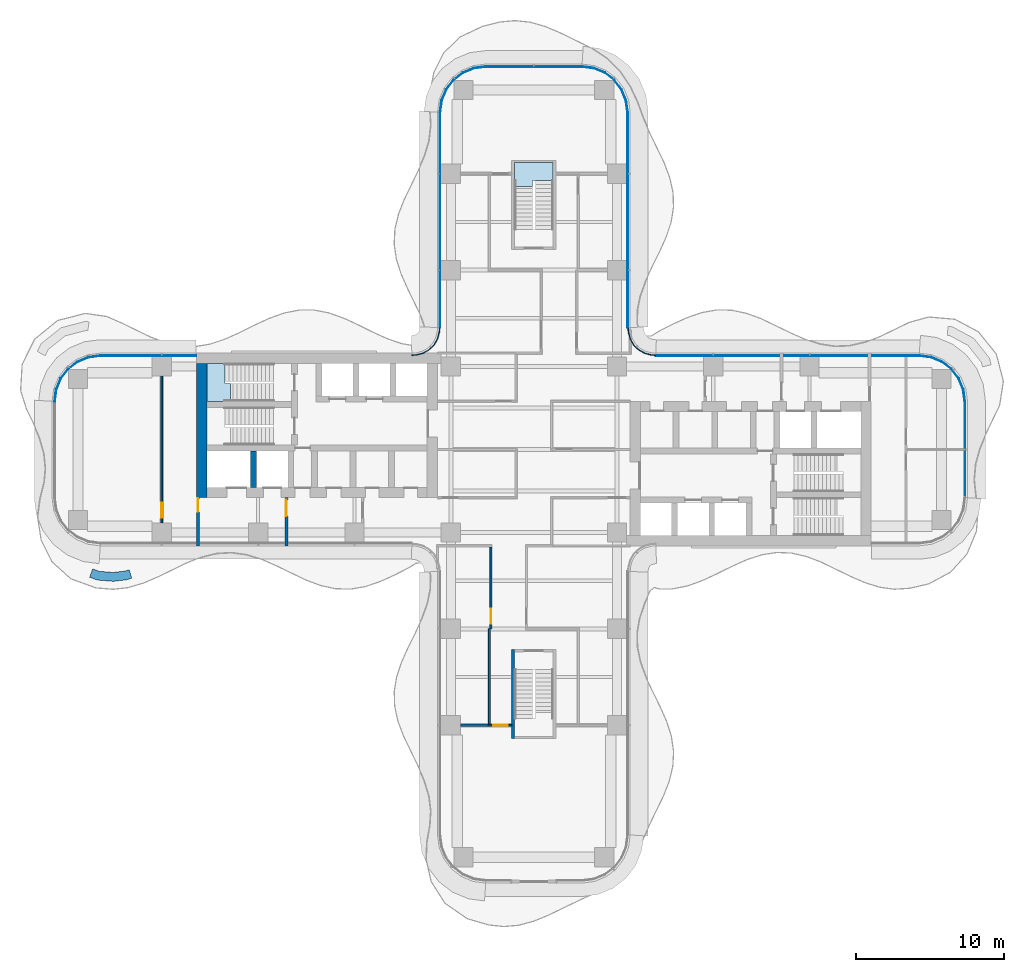
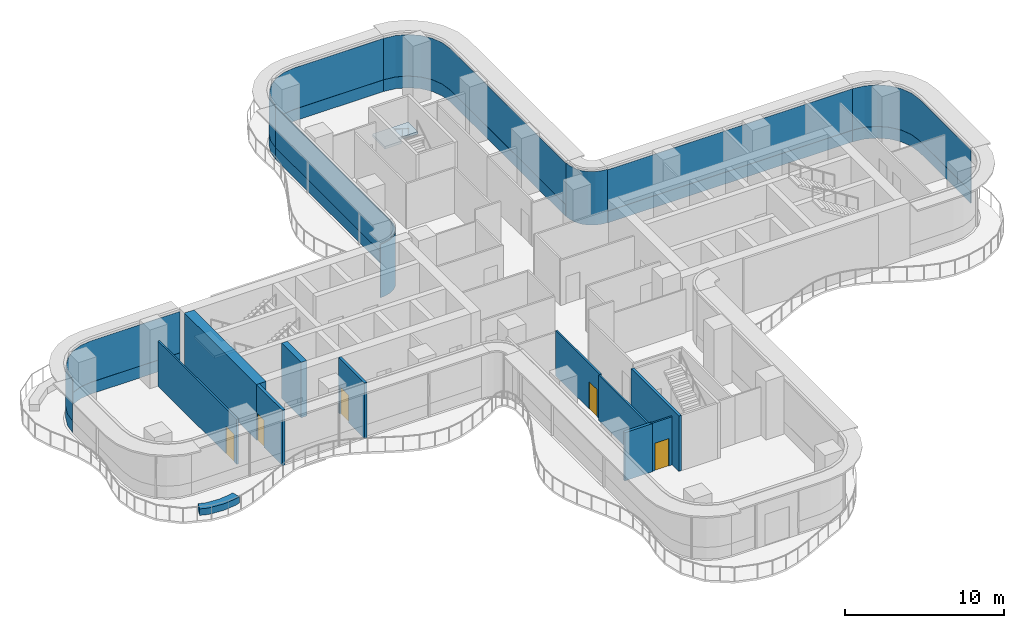
# One storey, part 15 of 21: 14 plates, 11 walls, 5 doors, 2 slabs, 5 openings, 10 elements without a shape of their own.
"""IFC4 building model written with IfcOpenShell, lengths in metres."""

from ifc_helpers import new_model, si_unit, direction, frame, frame_2d, origin, place, context, subcontext, project, spatial, polyline, rectangle, outline, extrude, source, transform, mapped, material, layer, layer_set, type_object, element, fill, aggregate, save


model = new_model("IFC4")

# Units and contexts
model_context = context("Model", 3, precision=1e-05, world=origin(), true_north=direction((0.0, 1.0)))
body_context = subcontext(model_context, "Body", "Model", "MODEL_VIEW")
ifc_project = project(units=[si_unit("LENGTHUNIT", "METRE"), si_unit("AREAUNIT", "SQUARE_METRE"), si_unit("VOLUMEUNIT", "CUBIC_METRE"), si_unit("PLANEANGLEUNIT", "RADIAN"), si_unit("MASSUNIT", "GRAM", prefix="KILO")], contexts=[model_context])

# Site, building, storey
site_placement = place(None, origin())
site = spatial("IfcSite", under=ifc_project, at=site_placement, CompositionType="ELEMENT")
building_placement = place(site_placement, origin())
building = spatial("IfcBuilding", under=site, at=building_placement, Name="Trellis Farm Tower", CompositionType="ELEMENT")
storey_placement = place(building_placement, frame((0.0, 0.0, 102.0)))
storey = spatial("IfcBuildingStorey", under=building, at=storey_placement, Name="L21", CompositionType="ELEMENT", Elevation=102.0)

# Stair, slab
ifc_material_1 = material(Name="Concrete C50/60", Category="concrete")
stair_type = type_object("IfcStairType", Name="CORE EXIT STAIR 26 RISERS 173 MM", PredefinedType="HALF_TURN_STAIR", material=ifc_material_1)
placement_1 = place(storey_placement, origin())
stair_1 = element("IfcStair", 1, at=placement_1, inside=storey, type_object=stair_type, Name="Exit stair N", PredefinedType="HALF_TURN_STAIR")
ifc_layer_1 = layer(ifc_material_1, 0.18994140625)
ifc_layer_set_1 = layer_set([ifc_layer_1], Name="CORE STAIR LANDING 190 CONCRETE C50/60")
slab_type = type_object("IfcSlabType", Name="CORE STAIR LANDING 190 CONCRETE C50/60", PredefinedType="LANDING", material=ifc_layer_set_1)
shared_shape_1 = source(origin(), body_context, "Body", "SweptSolid", [
    extrude(outline(polyline([(-0.10009765625, 17.753173828125), (-1.300048828125, 17.753173828125), (-1.300048828125, 18.14990234375), (-1.300048828125, 19.35009765625), (1.300048828125, 19.35009765625), (1.300048828125, 18.14990234375), (1.300048828125, 18.139892578125), (0.10009765625, 18.139892578125), (0.10009765625, 18.14990234375), (-0.10009765625, 18.14990234375), (-0.10009765625, 17.753173828125)])), origin(), (0.0, 0.0, 1.0), 0.18994140625),
])
placement_2 = place(storey_placement, frame((0.0, 0.0, 2.06005859375)))
slab_1 = element("IfcSlab", 2, at=placement_2, type_object=slab_type, Name="STN landing 1", PredefinedType="LANDING", context=body_context, shape_type="MappedRepresentation", body=[
    mapped(shared_shape_1, transform((0.0, 0.0, 0.0))),
])
aggregate(stair_1, [slab_1])

stair_2 = element("IfcStair", 3, at=placement_1, inside=storey, type_object=stair_type, Name="Exit stair W1", PredefinedType="HALF_TURN_STAIR")
shared_shape_2 = source(origin(), body_context, "Body", "SweptSolid", [
    extrude(outline(polyline([(-20.453125, 4.449951171875), (-20.453125, 3.25), (-20.85009765625, 3.25), (-22.050048828125, 3.25), (-22.050048828125, 5.800048828125), (-20.85009765625, 5.800048828125), (-20.840087890625, 5.800048828125), (-20.840087890625, 4.60009765625), (-20.85009765625, 4.60009765625), (-20.85009765625, 4.449951171875), (-20.453125, 4.449951171875)])), origin(), (0.0, 0.0, 1.0), 0.18994140625),
])
slab_2 = element("IfcSlab", 4, at=placement_2, type_object=slab_type, Name="STW1 landing 1", PredefinedType="LANDING", context=body_context, shape_type="MappedRepresentation", body=[
    mapped(shared_shape_2, transform((0.0, 0.0, 0.0))),
])
aggregate(stair_2, [slab_2])

# Curtain wall, plate
ifc_material_2 = material(Name="Aluminium and glass curtain wall", Category="aluminium")
ifc_layer_2 = layer(ifc_material_2, 0.166015625)
ifc_layer_set_2 = layer_set([ifc_layer_2], Name="WINTER GARDEN CURTAIN WALL CW3")
curtain_wall_type_1 = type_object("IfcCurtainWallType", Name="WINTER GARDEN CURTAIN WALL CW3", PredefinedType="NOTDEFINED", material=ifc_layer_set_2)
curtain_wall_1 = element("IfcCurtainWall", 5, at=placement_1, inside=storey, type_object=curtain_wall_type_1, Name="CW3 003", PredefinedType="NOTDEFINED")
ifc_material_3 = material(Name="Clear insulated glass", Category="glass")
ifc_layer_3 = layer(ifc_material_3, 0.0458984375)
ifc_layer_set_3 = layer_set([ifc_layer_3], Name="CW3 GLASS PANEL 46")
plate_type_1 = type_object("IfcPlateType", Name="CW3 GLASS PANEL 46", PredefinedType="CURTAIN_PANEL", material=ifc_layer_set_3)
shared_shape_3 = source(origin(), body_context, "Body", "SweptSolid", [
    extrude(outline(polyline([(8.2275390625, 6.3798828125), (8.0078125, 6.394287109375), (7.89208984375, 6.40966796875), (7.462158203125, 6.52490234375), (7.070556640625, 6.7509765625), (6.7509765625, 7.070556640625), (6.52490234375, 7.462158203125), (6.40966796875, 7.89208984375), (6.394287109375, 8.0078125), (6.3798828125, 8.2275390625), (6.333984375, 8.22607421875), (6.3486328125, 8.003173828125), (6.364501953125, 7.883056640625), (6.48193359375, 7.4443359375), (6.714111328125, 7.04248046875), (7.04248046875, 6.714111328125), (7.4443359375, 6.48193359375), (7.883056640625, 6.364501953125), (8.003173828125, 6.3486328125), (8.22607421875, 6.333984375), (8.2275390625, 6.3798828125)])), origin(), (0.0, 0.0, 1.0), 4.10009765625),
])
plate_1 = element("IfcPlate", 6, at=placement_1, type_object=plate_type_1, Name="PL3 003", PredefinedType="CURTAIN_PANEL", context=body_context, shape_type="MappedRepresentation", body=[
    mapped(shared_shape_3, transform((0.0, 0.0, 0.0))),
])
aggregate(curtain_wall_1, [plate_1])

curtain_wall_2 = element("IfcCurtainWall", 7, at=placement_1, inside=storey, type_object=curtain_wall_type_1, Name="CW3 004", PredefinedType="NOTDEFINED")
shared_shape_4 = source(origin(), body_context, "Body", "SweptSolid", [
    extrude(outline(polyline([(-6.3798828125, 8.2275390625), (-6.394287109375, 8.0078125), (-6.40966796875, 7.89208984375), (-6.52490234375, 7.462158203125), (-6.7509765625, 7.070556640625), (-7.070556640625, 6.7509765625), (-7.462158203125, 6.52490234375), (-7.89208984375, 6.40966796875), (-8.0078125, 6.394287109375), (-8.2275390625, 6.3798828125), (-8.22607421875, 6.333984375), (-8.003173828125, 6.3486328125), (-7.883056640625, 6.364501953125), (-7.4443359375, 6.48193359375), (-7.04248046875, 6.714111328125), (-6.714111328125, 7.04248046875), (-6.48193359375, 7.4443359375), (-6.364501953125, 7.883056640625), (-6.3486328125, 8.003173828125), (-6.333984375, 8.22607421875), (-6.3798828125, 8.2275390625)])), origin(), (0.0, 0.0, 1.0), 4.10009765625),
])
plate_2 = element("IfcPlate", 8, at=placement_1, type_object=plate_type_1, Name="PL3 004", PredefinedType="CURTAIN_PANEL", context=body_context, shape_type="MappedRepresentation", body=[
    mapped(shared_shape_4, transform((0.0, 0.0, 0.0))),
])
aggregate(curtain_wall_2, [plate_2])

# Curtain wall, plates
ifc_layer_4 = layer(ifc_material_2, 0.18994140625)
ifc_layer_set_4 = layer_set([ifc_layer_4], Name="RIBBON CURTAIN WALL CW1")
curtain_wall_type_2 = type_object("IfcCurtainWallType", Name="RIBBON CURTAIN WALL CW1", PredefinedType="NOTDEFINED", material=ifc_layer_set_4)
curtain_wall_3 = element("IfcCurtainWall", 9, at=placement_1, inside=storey, type_object=curtain_wall_type_2, Name="CW1 012", PredefinedType="NOTDEFINED")
ifc_layer_5 = layer(ifc_material_3, 0.0400390625)
ifc_layer_set_5 = layer_set([ifc_layer_5], Name="CW1 GLASS PANEL 40")
plate_type_2 = type_object("IfcPlateType", Name="CW1 GLASS PANEL 40", PredefinedType="CURTAIN_PANEL", material=ifc_layer_set_5)
shared_shape_5 = source(origin(), body_context, "Body", "SweptSolid", [
    extrude(outline(polyline([(-22.780029296875, 6.35009765625), (-29.240234375, 6.35009765625), (-30.052001953125, 6.2431640625), (-30.79931640625, 5.93359375), (-31.441162109375, 5.441162109375), (-31.93359375, 4.79931640625), (-32.2431640625, 4.052001953125), (-32.35009765625, 3.240234375), (-32.31005859375, 3.237548828125), (-32.2041015625, 4.04150390625), (-31.898681640625, 4.779296875), (-31.41259765625, 5.41259765625), (-30.779296875, 5.898681640625), (-30.04150390625, 6.2041015625), (-29.237548828125, 6.31005859375), (-22.780029296875, 6.31005859375), (-22.780029296875, 6.35009765625)])), origin(), (0.0, 0.0, 1.0), 3.170166015625),
])
placement_3 = place(storey_placement, frame((0.0, 0.0, 0.89990234375)))
plate_3 = element("IfcPlate", 10, at=placement_3, type_object=plate_type_2, Name="PL1 012", PredefinedType="CURTAIN_PANEL", context=body_context, shape_type="MappedRepresentation", body=[
    mapped(shared_shape_5, transform((0.0, 0.0, 0.0))),
])
ifc_material_4 = material(Name="Sandstone faced insulated panel", Category="masonry")
ifc_layer_6 = layer(ifc_material_4, 0.050048828125)
ifc_layer_set_6 = layer_set([ifc_layer_6], Name="CW1 STONE SPANDREL PANEL 50")
plate_type_3 = type_object("IfcPlateType", Name="CW1 STONE SPANDREL PANEL 50", PredefinedType="CURTAIN_PANEL", material=ifc_layer_set_6)
shared_shape_6 = source(origin(), body_context, "Body", "SweptSolid", [
    extrude(outline(polyline([(-22.780029296875, 6.35009765625), (-29.240234375, 6.35009765625), (-30.052001953125, 6.2431640625), (-30.79931640625, 5.93359375), (-31.441162109375, 5.441162109375), (-31.93359375, 4.79931640625), (-32.2431640625, 4.052001953125), (-32.35009765625, 3.240234375), (-32.300048828125, 3.23681640625), (-32.1943359375, 4.0390625), (-31.889892578125, 4.774169921875), (-31.405517578125, 5.405517578125), (-30.774169921875, 5.889892578125), (-30.0390625, 6.1943359375), (-29.23681640625, 6.300048828125), (-22.780029296875, 6.300048828125), (-22.780029296875, 6.35009765625)])), origin(), (0.0, 0.0, 1.0), 0.89990234375),
])
plate_4 = element("IfcPlate", 11, at=placement_1, type_object=plate_type_3, Name="PS1 012", PredefinedType="CURTAIN_PANEL", context=body_context, shape_type="MappedRepresentation", body=[
    mapped(shared_shape_6, transform((0.0, 0.0, 0.0))),
])
aggregate(curtain_wall_3, [plate_3, plate_4])

curtain_wall_4 = element("IfcCurtainWall", 12, at=placement_1, inside=storey, type_object=curtain_wall_type_2, Name="CW1 009", PredefinedType="NOTDEFINED")
shared_shape_7 = source(origin(), body_context, "Body", "SweptSolid", [
    extrude(outline(polyline([(6.35009765625, 8.2265625), (6.35009765625, 22.740234375), (6.2431640625, 23.552001953125), (5.93359375, 24.29931640625), (5.441162109375, 24.941162109375), (4.79931640625, 25.43359375), (4.052001953125, 25.7431640625), (3.240234375, 25.85009765625), (3.237548828125, 25.81005859375), (4.04150390625, 25.7041015625), (4.779296875, 25.398681640625), (5.41259765625, 24.91259765625), (5.898681640625, 24.279296875), (6.2041015625, 23.54150390625), (6.31005859375, 22.737548828125), (6.31005859375, 8.22509765625), (6.35009765625, 8.2265625)])), origin(), (0.0, 0.0, 1.0), 3.170166015625),
])
plate_5 = element("IfcPlate", 13, at=placement_3, type_object=plate_type_2, Name="PL1 009", PredefinedType="CURTAIN_PANEL", context=body_context, shape_type="MappedRepresentation", body=[
    mapped(shared_shape_7, transform((0.0, 0.0, 0.0))),
])
shared_shape_8 = source(origin(), body_context, "Body", "SweptSolid", [
    extrude(outline(polyline([(6.35009765625, 8.2265625), (6.35009765625, 22.740234375), (6.2431640625, 23.552001953125), (5.93359375, 24.29931640625), (5.441162109375, 24.941162109375), (4.79931640625, 25.43359375), (4.052001953125, 25.7431640625), (3.240234375, 25.85009765625), (3.23681640625, 25.800048828125), (4.0390625, 25.6943359375), (4.774169921875, 25.389892578125), (5.405517578125, 24.905517578125), (5.889892578125, 24.274169921875), (6.1943359375, 23.5390625), (6.300048828125, 22.73681640625), (6.300048828125, 8.224853515625), (6.35009765625, 8.2265625)])), origin(), (0.0, 0.0, 1.0), 0.89990234375),
])
plate_6 = element("IfcPlate", 14, at=placement_1, type_object=plate_type_3, Name="PS1 009", PredefinedType="CURTAIN_PANEL", context=body_context, shape_type="MappedRepresentation", body=[
    mapped(shared_shape_8, transform((0.0, 0.0, 0.0))),
])
aggregate(curtain_wall_4, [plate_5, plate_6])

curtain_wall_5 = element("IfcCurtainWall", 15, at=placement_1, inside=storey, type_object=curtain_wall_type_2, Name="CW1 011", PredefinedType="NOTDEFINED")
shared_shape_9 = source(origin(), body_context, "Body", "SweptSolid", [
    extrude(outline(polyline([(-6.35009765625, 22.740234375), (-6.35009765625, 8.2265625), (-6.31005859375, 8.22509765625), (-6.31005859375, 22.737548828125), (-6.35009765625, 22.740234375)])), origin(), (0.0, 0.0, 1.0), 3.170166015625),
])
plate_7 = element("IfcPlate", 16, at=placement_3, type_object=plate_type_2, Name="PL1 011", PredefinedType="CURTAIN_PANEL", context=body_context, shape_type="MappedRepresentation", body=[
    mapped(shared_shape_9, transform((0.0, 0.0, 0.0))),
])
shared_shape_10 = source(origin(), body_context, "Body", "SweptSolid", [
    extrude(outline(polyline([(-6.35009765625, 22.740234375), (-6.35009765625, 8.2265625), (-6.300048828125, 8.224853515625), (-6.300048828125, 22.73681640625), (-6.35009765625, 22.740234375)])), origin(), (0.0, 0.0, 1.0), 0.89990234375),
])
plate_8 = element("IfcPlate", 17, at=placement_1, type_object=plate_type_3, Name="PS1 011", PredefinedType="CURTAIN_PANEL", context=body_context, shape_type="MappedRepresentation", body=[
    mapped(shared_shape_10, transform((0.0, 0.0, 0.0))),
])
aggregate(curtain_wall_5, [plate_7, plate_8])

curtain_wall_6 = element("IfcCurtainWall", 18, at=placement_1, inside=storey, type_object=curtain_wall_type_2, Name="CW1 010", PredefinedType="NOTDEFINED")
shared_shape_11 = source(origin(), body_context, "Body", "SweptSolid", [
    extrude(outline(polyline([(3.240234375, 25.85009765625), (-3.240234375, 25.85009765625), (-4.052001953125, 25.7431640625), (-4.79931640625, 25.43359375), (-5.441162109375, 24.941162109375), (-5.93359375, 24.29931640625), (-6.2431640625, 23.552001953125), (-6.35009765625, 22.740234375), (-6.31005859375, 22.737548828125), (-6.2041015625, 23.54150390625), (-5.898681640625, 24.279296875), (-5.41259765625, 24.91259765625), (-4.779296875, 25.398681640625), (-4.04150390625, 25.7041015625), (-3.237548828125, 25.81005859375), (3.237548828125, 25.81005859375), (3.240234375, 25.85009765625)])), origin(), (0.0, 0.0, 1.0), 3.170166015625),
])
plate_9 = element("IfcPlate", 19, at=placement_3, type_object=plate_type_2, Name="PL1 010", PredefinedType="CURTAIN_PANEL", context=body_context, shape_type="MappedRepresentation", body=[
    mapped(shared_shape_11, transform((0.0, 0.0, 0.0))),
])
shared_shape_12 = source(origin(), body_context, "Body", "SweptSolid", [
    extrude(outline(polyline([(3.240234375, 25.85009765625), (-3.240234375, 25.85009765625), (-4.052001953125, 25.7431640625), (-4.79931640625, 25.43359375), (-5.441162109375, 24.941162109375), (-5.93359375, 24.29931640625), (-6.2431640625, 23.552001953125), (-6.35009765625, 22.740234375), (-6.300048828125, 22.73681640625), (-6.1943359375, 23.5390625), (-5.889892578125, 24.274169921875), (-5.405517578125, 24.905517578125), (-4.774169921875, 25.389892578125), (-4.0390625, 25.6943359375), (-3.23681640625, 25.800048828125), (3.23681640625, 25.800048828125), (3.240234375, 25.85009765625)])), origin(), (0.0, 0.0, 1.0), 0.89990234375),
])
plate_10 = element("IfcPlate", 20, at=placement_1, type_object=plate_type_3, Name="PS1 010", PredefinedType="CURTAIN_PANEL", context=body_context, shape_type="MappedRepresentation", body=[
    mapped(shared_shape_12, transform((0.0, 0.0, 0.0))),
])
aggregate(curtain_wall_6, [plate_9, plate_10])

curtain_wall_7 = element("IfcCurtainWall", 21, at=placement_1, inside=storey, type_object=curtain_wall_type_2, Name="CW1 008", PredefinedType="NOTDEFINED")
shared_shape_13 = source(origin(), body_context, "Body", "SweptSolid", [
    extrude(outline(polyline([(25.990234375, 6.35009765625), (8.2265625, 6.35009765625), (8.22509765625, 6.31005859375), (25.987548828125, 6.31005859375), (25.990234375, 6.35009765625)])), origin(), (0.0, 0.0, 1.0), 3.170166015625),
])
plate_11 = element("IfcPlate", 22, at=placement_3, type_object=plate_type_2, Name="PL1 008", PredefinedType="CURTAIN_PANEL", context=body_context, shape_type="MappedRepresentation", body=[
    mapped(shared_shape_13, transform((0.0, 0.0, 0.0))),
])
shared_shape_14 = source(origin(), body_context, "Body", "SweptSolid", [
    extrude(outline(polyline([(25.990234375, 6.35009765625), (8.2265625, 6.35009765625), (8.224853515625, 6.300048828125), (25.98681640625, 6.300048828125), (25.990234375, 6.35009765625)])), origin(), (0.0, 0.0, 1.0), 0.89990234375),
])
plate_12 = element("IfcPlate", 23, at=placement_1, type_object=plate_type_3, Name="PS1 008", PredefinedType="CURTAIN_PANEL", context=body_context, shape_type="MappedRepresentation", body=[
    mapped(shared_shape_14, transform((0.0, 0.0, 0.0))),
])
aggregate(curtain_wall_7, [plate_11, plate_12])

curtain_wall_8 = element("IfcCurtainWall", 24, at=placement_1, inside=storey, type_object=curtain_wall_type_2, Name="CW1 007", PredefinedType="NOTDEFINED")
shared_shape_15 = source(origin(), body_context, "Body", "SweptSolid", [
    extrude(outline(polyline([(29.10009765625, -3.240234375), (29.10009765625, 3.240234375), (28.9931640625, 4.052001953125), (28.68359375, 4.79931640625), (28.191162109375, 5.441162109375), (27.54931640625, 5.93359375), (26.802001953125, 6.2431640625), (25.990234375, 6.35009765625), (25.987548828125, 6.31005859375), (26.79150390625, 6.2041015625), (27.529296875, 5.898681640625), (28.16259765625, 5.41259765625), (28.648681640625, 4.779296875), (28.9541015625, 4.04150390625), (29.06005859375, 3.237548828125), (29.06005859375, -3.237548828125), (29.10009765625, -3.240234375)])), origin(), (0.0, 0.0, 1.0), 3.170166015625),
])
plate_13 = element("IfcPlate", 25, at=placement_3, type_object=plate_type_2, Name="PL1 007", PredefinedType="CURTAIN_PANEL", context=body_context, shape_type="MappedRepresentation", body=[
    mapped(shared_shape_15, transform((0.0, 0.0, 0.0))),
])
shared_shape_16 = source(origin(), body_context, "Body", "SweptSolid", [
    extrude(outline(polyline([(29.10009765625, -3.240234375), (29.10009765625, 3.240234375), (28.9931640625, 4.052001953125), (28.68359375, 4.79931640625), (28.191162109375, 5.441162109375), (27.54931640625, 5.93359375), (26.802001953125, 6.2431640625), (25.990234375, 6.35009765625), (25.98681640625, 6.300048828125), (26.7890625, 6.1943359375), (27.524169921875, 5.889892578125), (28.155517578125, 5.405517578125), (28.639892578125, 4.774169921875), (28.9443359375, 4.0390625), (29.050048828125, 3.23681640625), (29.050048828125, -3.23681640625), (29.10009765625, -3.240234375)])), origin(), (0.0, 0.0, 1.0), 0.89990234375),
])
plate_14 = element("IfcPlate", 26, at=placement_1, type_object=plate_type_3, Name="PS1 007", PredefinedType="CURTAIN_PANEL", context=body_context, shape_type="MappedRepresentation", body=[
    mapped(shared_shape_16, transform((0.0, 0.0, 0.0))),
])
aggregate(curtain_wall_8, [plate_13, plate_14])

# Walls
ifc_material_5 = material(Name="Sandstone faced masonry planter", Category="masonry")
ifc_layer_7 = layer(ifc_material_5, 0.60009765625)
ifc_layer_set_7 = layer_set([ifc_layer_7], Name="PLANTER BED 600")
wall_type_1 = type_object("IfcWallType", Name="PLANTER BED 600", PredefinedType="USERDEFINED", material=ifc_layer_set_7)
element("IfcWall", 27, at=placement_1, inside=storey, type_object=wall_type_1, Name="PLANTER bed", ObjectType="PLANTER", PredefinedType="USERDEFINED", context=body_context, shape_type="SweptSolid", body=[
    extrude(outline(polyline([(-28.372314453125, -8.89501953125), (-29.447265625, -8.80810546875), (-29.966796875, -8.6171875), (-29.759765625, -8.053955078125), (-29.3173828125, -8.216552734375), (-28.3828125, -8.2919921875), (-27.592041015625, -8.200439453125), (-27.295166015625, -8.1123046875), (-27.12451171875, -8.6875), (-27.471435546875, -8.790283203125), (-28.372314453125, -8.89501953125)])), origin(), (0.0, 0.0, 1.0), 0.5),
])
ifc_material_6 = material(Name="Concrete C70/85", Category="concrete")
ifc_layer_8 = layer(ifc_material_6, 0.699951171875)
ifc_layer_set_8 = layer_set([ifc_layer_8], Name="CORE OUTER WALL 700 CONCRETE C70/85")
wall_type_2 = type_object("IfcWallType", Name="CORE OUTER WALL 700 CONCRETE C70/85", PredefinedType="SHEAR", material=ifc_layer_set_8)
shared_shape_17 = source(origin(), body_context, "Body", "SweptSolid", [
    extrude(rectangle(XDim=9.050048828125, YDim=0.699951171875, at=frame_2d((4.52490234375, 0.0))), origin(), (0.0, 0.0, 1.0), 4.25),
])
wall_2_placement = place(storey_placement, frame((-22.39990234375, 5.800048828125, 0.0), z_axis=(0.0, 0.0, 1.0), x_axis=(0.0, -1.0, 0.0)))
element("IfcWall", 28, at=wall_2_placement, inside=storey, type_object=wall_type_2, Name="Core wall", PredefinedType="SHEAR", context=body_context, shape_type="MappedRepresentation", body=[
    mapped(shared_shape_17, transform((0.0, 0.0, 0.0))),
])
ifc_layer_9 = layer(ifc_material_6, 0.39990234375)
ifc_layer_set_9 = layer_set([ifc_layer_9], Name="CORE INNER WALL 400 CONCRETE C70/85")
wall_type_3 = type_object("IfcWallType", Name="CORE INNER WALL 400 CONCRETE C70/85", PredefinedType="SHEAR", material=ifc_layer_set_9)
shared_shape_18 = source(origin(), body_context, "Body", "SweptSolid", [
    extrude(rectangle(XDim=2.449951171875, YDim=0.39990234375, at=frame_2d((1.22509765625, 0.0))), origin(), (0.0, 0.0, 1.0), 4.25),
])
wall_3_placement = place(storey_placement, frame((-18.89990234375, -0.10009765625, 0.0), z_axis=(0.0, 0.0, 1.0), x_axis=(0.0, -1.0, 0.0)))
element("IfcWall", 29, at=wall_3_placement, inside=storey, type_object=wall_type_3, Name="Core wall", PredefinedType="SHEAR", context=body_context, shape_type="MappedRepresentation", body=[
    mapped(shared_shape_18, transform((0.0, 0.0, 0.0))),
])

# Wall, opening, door
ifc_material_7 = material(Name="Masonry blockwork", Category="masonry")
ifc_layer_10 = layer(ifc_material_7, 0.199951171875)
ifc_layer_set_10 = layer_set([ifc_layer_10], Name="FIRE LOBBY PARTITION 200 BLOCKWORK")
wall_type_4 = type_object("IfcWallType", Name="FIRE LOBBY PARTITION 200 BLOCKWORK", PredefinedType="PARTITIONING", material=ifc_layer_set_10)
shared_shape_19 = source(origin(), body_context, "Body", "SweptSolid", [
    extrude(rectangle(XDim=3.25, YDim=0.199951171875, at=frame_2d((1.625, 0.0))), origin(), (0.0, 0.0, 1.0), 4.25),
])
wall_4_placement = place(storey_placement, frame((-16.699951171875, -3.25, 0.0), z_axis=(0.0, 0.0, 1.0), x_axis=(0.0, -1.0, 0.0)))
wall_4 = element("IfcWall", 30, at=wall_4_placement, inside=storey, type_object=wall_type_4, Name="Fire-fighting lobby partition", PredefinedType="PARTITIONING", context=body_context, shape_type="MappedRepresentation", body=[
    mapped(shared_shape_19, transform((0.0, 0.0, 0.0))),
])
shared_shape_20 = source(origin(), body_context, "Body", "SweptSolid", [
    extrude(rectangle(XDim=1.10009765625, YDim=2.10009765625, at=frame_2d((0.550048828125, 1.050048828125))), frame((0.0, 0.110107421875, 0.0), z_axis=(0.0, -1.0, 0.0), x_axis=(1.0, 0.0, 0.0)), (0.0, 0.0, 1.0), 0.22021484375),
])
opening_1_placement = place(wall_4_placement, frame((0.14990234375, 0.0, 0.0)))
opening_1 = element("IfcOpeningElement", 31, at=opening_1_placement, cuts=wall_4, Name="Opening DC93", PredefinedType="OPENING", context=body_context, shape_type="MappedRepresentation", body=[
    mapped(shared_shape_20, transform((0.0, 0.0, 0.0))),
])
ifc_material_8 = material(Name="Steel", Category="steel")
door_type_1 = type_object("IfcDoorType", Name="CORE FIRE DOOR 1100 X 2100", OperationType="NOTDEFINED", PredefinedType="DOOR", material=ifc_material_8)
shared_shape_21 = source(origin(), body_context, "Body", "SweptSolid", [
    extrude(rectangle(XDim=1.10009765625, YDim=2.10009765625, at=frame_2d((0.550048828125, 1.050048828125))), frame((0.0, 0.02490234375, 0.0), z_axis=(0.0, -1.0, 0.0), x_axis=(1.0, 0.0, 0.0)), (0.0, 0.0, 1.0), 0.050048828125),
])
door_1_placement = place(opening_1_placement, origin())
door_1 = element("IfcDoor", 32, at=door_1_placement, inside=storey, type_object=door_type_1, Name="Core door", OperationType="SINGLE_SWING_RIGHT", OverallHeight=2.10009765625, OverallWidth=1.10009765625, PredefinedType="DOOR", context=body_context, shape_type="MappedRepresentation", body=[
    mapped(shared_shape_21, transform((0.0, 0.0, 0.0))),
])
fill(opening_1, door_1)

wall_5_placement = place(storey_placement, frame((-22.64990234375, -3.25, 0.0), z_axis=(0.0, 0.0, 1.0), x_axis=(0.0, -1.0, 0.0)))
wall_5 = element("IfcWall", 33, at=wall_5_placement, inside=storey, type_object=wall_type_4, Name="Fire-fighting lobby partition", PredefinedType="PARTITIONING", context=body_context, shape_type="MappedRepresentation", body=[
    mapped(shared_shape_19, transform((0.0, 0.0, 0.0))),
])
shared_shape_22 = source(origin(), body_context, "Body", "SweptSolid", [
    extrude(rectangle(XDim=0.89990234375, YDim=2.10009765625, at=frame_2d((0.449951171875, 1.050048828125))), frame((0.0, 0.110107421875, 0.0), z_axis=(0.0, -1.0, 0.0), x_axis=(1.0, 0.0, 0.0)), (0.0, 0.0, 1.0), 0.22021484375),
])
opening_2_placement = place(wall_5_placement, frame((0.050048828125, 0.0, 0.0)))
opening_2 = element("IfcOpeningElement", 34, at=opening_2_placement, cuts=wall_5, Name="Opening DC94", PredefinedType="OPENING", context=body_context, shape_type="MappedRepresentation", body=[
    mapped(shared_shape_22, transform((0.0, 0.0, 0.0))),
])
door_type_2 = type_object("IfcDoorType", Name="CORE FIRE DOOR 900 X 2100", OperationType="NOTDEFINED", PredefinedType="DOOR", material=ifc_material_8)
shared_shape_23 = source(origin(), body_context, "Body", "SweptSolid", [
    extrude(rectangle(XDim=0.89990234375, YDim=2.10009765625, at=frame_2d((0.449951171875, 1.050048828125))), frame((0.0, 0.02490234375, 0.0), z_axis=(0.0, -1.0, 0.0), x_axis=(1.0, 0.0, 0.0)), (0.0, 0.0, 1.0), 0.050048828125),
])
door_2_placement = place(opening_2_placement, origin())
door_2 = element("IfcDoor", 35, at=door_2_placement, inside=storey, type_object=door_type_2, Name="Core door", OperationType="SINGLE_SWING_RIGHT", OverallHeight=2.10009765625, OverallWidth=0.89990234375, PredefinedType="DOOR", context=body_context, shape_type="MappedRepresentation", body=[
    mapped(shared_shape_23, transform((0.0, 0.0, 0.0))),
])
fill(opening_2, door_2)

# Wall
ifc_layer_11 = layer(ifc_material_6, 0.199951171875)
ifc_layer_set_11 = layer_set([ifc_layer_11], Name="CORE STAIR ENCLOSURE WALL 200 CONCRETE C70/85")
wall_type_5 = type_object("IfcWallType", Name="CORE STAIR ENCLOSURE WALL 200 CONCRETE C70/85", PredefinedType="SHEAR", material=ifc_layer_set_11)
shared_shape_24 = source(origin(), body_context, "Body", "SweptSolid", [
    extrude(rectangle(XDim=6.0, YDim=0.199951171875, at=frame_2d((3.0, 0.0))), origin(), (0.0, 0.0, 1.0), 4.25),
])
wall_6_placement = place(storey_placement, frame((-1.39990234375, -13.5, 0.0), z_axis=(0.0, 0.0, 1.0), x_axis=(0.0, -1.0, 0.0)))
element("IfcWall", 36, at=wall_6_placement, inside=storey, type_object=wall_type_5, Name="Stair enclosure wall", PredefinedType="SHEAR", context=body_context, shape_type="MappedRepresentation", body=[
    mapped(shared_shape_24, transform((0.0, 0.0, 0.0))),
])

# Wall, opening, door
ifc_material_9 = material(Name="Plasterboard on steel studs, mineral wool", Category="steel")
ifc_layer_12 = layer(ifc_material_9, 0.125)
ifc_layer_set_12 = layer_set([ifc_layer_12], Name="PARTITION 125 STUD EI 60")
wall_type_6 = type_object("IfcWallType", Name="PARTITION 125 STUD EI 60", PredefinedType="PARTITIONING", material=ifc_layer_set_12)
shared_shape_25 = source(origin(), body_context, "Body", "SweptSolid", [
    extrude(rectangle(XDim=1.5625, YDim=0.125, at=frame_2d((0.78125, 0.0))), origin(), (0.0, 0.0, 1.0), 3.697021484375),
])
wall_7_placement = place(storey_placement, frame((-1.5, -18.60009765625, 0.0), z_axis=(0.0, 0.0, 1.0), x_axis=(-1.0, 0.0, 0.0)))
wall_7 = element("IfcWall", 37, at=wall_7_placement, inside=storey, type_object=wall_type_6, Name="Partition PW1", PredefinedType="PARTITIONING", context=body_context, shape_type="MappedRepresentation", body=[
    mapped(shared_shape_25, transform((0.0, 0.0, 0.0))),
])
shared_shape_26 = source(origin(), body_context, "Body", "SweptSolid", [
    extrude(rectangle(XDim=1.0, YDim=2.10009765625, at=frame_2d((0.5, 1.050048828125))), frame((0.0, 0.072509765625, 0.0), z_axis=(0.0, -1.0, 0.0), x_axis=(1.0, 0.0, 0.0)), (0.0, 0.0, 1.0), 0.14501953125),
])
opening_3_placement = place(wall_7_placement, frame((0.25, 0.0, 0.0)))
opening_3 = element("IfcOpeningElement", 38, at=opening_3_placement, cuts=wall_7, Name="Opening D101", PredefinedType="OPENING", context=body_context, shape_type="MappedRepresentation", body=[
    mapped(shared_shape_26, transform((0.0, 0.0, 0.0))),
])
ifc_material_10 = material(Name="Fire-rated timber door leaf in a hollow metal frame", Category="wood")
door_type_3 = type_object("IfcDoorType", Name="DOOR 1000x2100 FD30S", OperationType="NOTDEFINED", PredefinedType="DOOR", material=ifc_material_10)
shared_shape_27 = source(origin(), body_context, "Body", "SweptSolid", [
    extrude(rectangle(XDim=1.0, YDim=2.10009765625, at=frame_2d((0.5, 1.050048828125))), frame((0.0, 0.02490234375, 0.0), z_axis=(0.0, -1.0, 0.0), x_axis=(1.0, 0.0, 0.0)), (0.0, 0.0, 1.0), 0.050048828125),
])
door_3_placement = place(opening_3_placement, origin())
door_3 = element("IfcDoor", 39, at=door_3_placement, inside=storey, type_object=door_type_3, Name="Door D101", OperationType="SINGLE_SWING_LEFT", OverallHeight=2.10009765625, OverallWidth=1.0, PredefinedType="DOOR", context=body_context, shape_type="MappedRepresentation", body=[
    mapped(shared_shape_27, transform((0.0, 0.0, 0.0))),
])
fill(opening_3, door_3)

shared_shape_28 = source(origin(), body_context, "Body", "SweptSolid", [
    extrude(rectangle(XDim=5.53759765625, YDim=0.125, at=frame_2d((2.768798828125, 0.0))), origin(), (0.0, 0.0, 1.0), 3.4677734375),
])
wall_8_placement = place(storey_placement, frame((-2.89990234375, -12.10009765625, 0.0), z_axis=(0.0, 0.0, 1.0), x_axis=(0.0, 1.0, 0.0)))
wall_8 = element("IfcWall", 40, at=wall_8_placement, inside=storey, type_object=wall_type_6, Name="Partition PW1", PredefinedType="PARTITIONING", context=body_context, shape_type="MappedRepresentation", body=[
    mapped(shared_shape_28, transform((0.0, 0.0, 0.0))),
])
opening_4_placement = place(wall_8_placement, frame((0.35009765625, 0.0, 0.0)))
opening_4 = element("IfcOpeningElement", 41, at=opening_4_placement, cuts=wall_8, Name="Opening D301", PredefinedType="OPENING", context=body_context, shape_type="MappedRepresentation", body=[
    mapped(shared_shape_26, transform((0.0, 0.0, 0.0))),
])
door_type_4 = type_object("IfcDoorType", Name="DOOR 1000x2100 FD60", OperationType="NOTDEFINED", PredefinedType="DOOR", material=ifc_material_10)
door_4_placement = place(opening_4_placement, origin())
door_4 = element("IfcDoor", 42, at=door_4_placement, inside=storey, type_object=door_type_4, Name="Door D301", OperationType="SINGLE_SWING_LEFT", OverallHeight=2.10009765625, OverallWidth=1.0, PredefinedType="DOOR", context=body_context, shape_type="MappedRepresentation", body=[
    mapped(shared_shape_27, transform((0.0, 0.0, 0.0))),
])
fill(opening_4, door_4)

# Wall
ifc_material_11 = material(Name="Lightweight blockwork, plastered", Category="masonry")
ifc_layer_13 = layer(ifc_material_11, 0.199951171875)
ifc_layer_set_13 = layer_set([ifc_layer_13], Name="BLOCK WALL 200 EI 120")
wall_type_7 = type_object("IfcWallType", Name="BLOCK WALL 200 EI 120", PredefinedType="PARTITIONING", material=ifc_layer_set_13)
shared_shape_29 = source(origin(), body_context, "Body", "SweptSolid", [
    extrude(rectangle(XDim=2.012451171875, YDim=0.199951171875, at=frame_2d((1.00634765625, 0.0))), origin(), (0.0, 0.0, 1.0), 3.697021484375),
])
wall_9_placement = place(storey_placement, frame((-4.949951171875, -18.60009765625, 0.0), z_axis=(0.0, 0.0, 1.0), x_axis=(1.0, 0.0, 0.0)))
element("IfcWall", 43, at=wall_9_placement, inside=storey, type_object=wall_type_7, Name="Partition PW3", PredefinedType="PARTITIONING", context=body_context, shape_type="MappedRepresentation", body=[
    mapped(shared_shape_29, transform((0.0, 0.0, 0.0))),
])

# Wall, opening, door
shared_shape_30 = source(origin(), body_context, "Body", "SweptSolid", [
    extrude(rectangle(XDim=9.89990234375, YDim=0.125, at=frame_2d((4.949951171875, 0.0))), origin(), (0.0, 0.0, 1.0), 3.4677734375),
])
wall_10_placement = place(storey_placement, frame((-25.10009765625, -4.949951171875, 0.0), z_axis=(0.0, 0.0, 1.0), x_axis=(0.0, 1.0, 0.0)))
wall_10 = element("IfcWall", 44, at=wall_10_placement, inside=storey, type_object=wall_type_6, Name="Partition PW1", PredefinedType="PARTITIONING", context=body_context, shape_type="MappedRepresentation", body=[
    mapped(shared_shape_30, transform((0.0, 0.0, 0.0))),
])
opening_5_placement = place(wall_10_placement, frame((0.35009765625, 0.0, 0.0)))
opening_5 = element("IfcOpeningElement", 45, at=opening_5_placement, cuts=wall_10, Name="Opening D103", PredefinedType="OPENING", context=body_context, shape_type="MappedRepresentation", body=[
    mapped(shared_shape_26, transform((0.0, 0.0, 0.0))),
])
door_5_placement = place(opening_5_placement, origin())
door_5 = element("IfcDoor", 46, at=door_5_placement, inside=storey, type_object=door_type_3, Name="Door D103", OperationType="SINGLE_SWING_LEFT", OverallHeight=2.10009765625, OverallWidth=1.0, PredefinedType="DOOR", context=body_context, shape_type="MappedRepresentation", body=[
    mapped(shared_shape_27, transform((0.0, 0.0, 0.0))),
])
fill(opening_5, door_5)

# Wall
shared_shape_31 = source(origin(), body_context, "Body", "SweptSolid", [
    extrude(rectangle(XDim=6.39990234375, YDim=0.125, at=frame_2d((3.199951171875, 0.0))), origin(), (0.0, 0.0, 1.0), 3.4677734375),
])
wall_11_placement = place(storey_placement, frame((-3.0, -18.5, 0.0), z_axis=(0.0, 0.0, 1.0), x_axis=(0.0, 1.0, 0.0)))
element("IfcWall", 47, at=wall_11_placement, inside=storey, type_object=wall_type_6, Name="Partition PW1", PredefinedType="PARTITIONING", context=body_context, shape_type="MappedRepresentation", body=[
    mapped(shared_shape_31, transform((0.0, 0.0, 0.0))),
])

save(model, "model.ifc")
